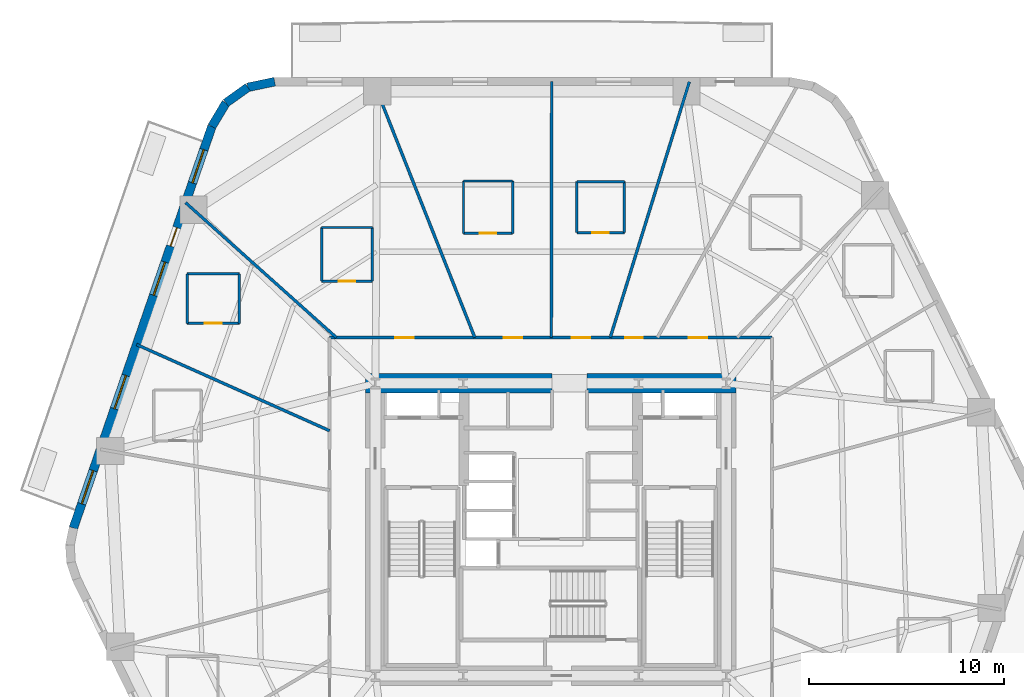
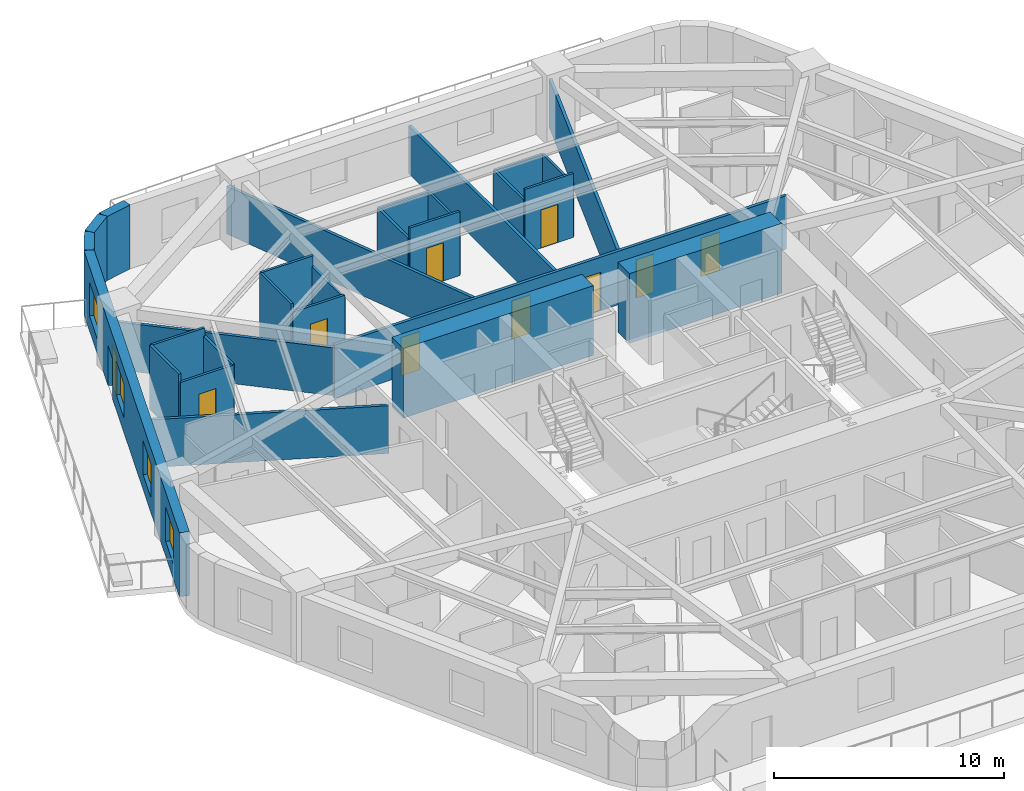
# One storey, part 6 of 11: 28 walls, 10 doors, 4 windows, 14 openings.
"""IFC4 building model written with IfcOpenShell, lengths in metres."""

from ifc_helpers import new_model, si_unit, direction, frame, frame_2d, origin, place, context, subcontext, project, spatial, rectangle, extrude, material, layer, layer_set, type_object, element, fill, save


model = new_model("IFC4")

# Units and contexts
model_context = context("Model", 3, precision=1e-05, world=origin(), true_north=direction((0.0, 1.0)))
body_context = subcontext(model_context, "Body", "Model", "MODEL_VIEW")
ifc_project = project(units=[si_unit("LENGTHUNIT", "METRE"), si_unit("AREAUNIT", "SQUARE_METRE"), si_unit("VOLUMEUNIT", "CUBIC_METRE"), si_unit("PLANEANGLEUNIT", "RADIAN"), si_unit("MASSUNIT", "GRAM", prefix="KILO")], contexts=[model_context])

# Site, building, storey
site_placement = place(None, origin())
site = spatial("IfcSite", under=ifc_project, at=site_placement, CompositionType="ELEMENT")
building_placement = place(site_placement, origin())
building = spatial("IfcBuilding", under=site, at=building_placement, Name="Kilnhurst Terrace Hotel", CompositionType="ELEMENT")
storey_placement = place(building_placement, frame((0.0, 0.0, 41.60009765625)))
storey = spatial("IfcBuildingStorey", under=building, at=storey_placement, Name="L08", CompositionType="ELEMENT", Elevation=41.60009765625)

# Walls
ifc_material_1 = material(Name="Precast concrete C40/50", Category="concrete")
ifc_layer_1 = layer(ifc_material_1, 0.449951171875, Name="Precast concrete C40/50")
ifc_layer_set_1 = layer_set([ifc_layer_1], Name="Precast concrete C40/50")
wall_type_1 = type_object("IfcWallType", Name="WL-BRK-450", PredefinedType="SOLIDWALL", material=ifc_layer_set_1)
wall_1_placement = place(storey_placement, frame((-14.168212890625, 22.97509765625, 0.0), z_axis=(0.0, 0.0, 1.0), x_axis=(-0.978770371074, -0.204959900243, 0.0)))
element("IfcWall", 1, at=wall_1_placement, inside=storey, type_object=wall_type_1, Name="L08 Rounded Corner Brick Wall C5.1", PredefinedType="SOLIDWALL", context=body_context, shape_type="SweptSolid", body=[
    extrude(rectangle(XDim=1.405517578125, YDim=0.449951171875, at=frame_2d((0.70263671875, 0.0))), origin(), (0.0, 0.0, 1.0), 3.39990234375),
])
wall_2_placement = place(storey_placement, frame((-15.5439453125, 22.68701171875, 0.0), z_axis=(0.0, 0.0, 1.0), x_axis=(-0.814210854316, -0.580569276412, 0.0)))
element("IfcWall", 2, at=wall_2_placement, inside=storey, type_object=wall_type_1, Name="L08 Rounded Corner Brick Wall C5.2", PredefinedType="SOLIDWALL", context=body_context, shape_type="SweptSolid", body=[
    extrude(rectangle(XDim=1.38134765625, YDim=0.449951171875, at=frame_2d((0.690673828125, 0.0))), origin(), (0.0, 0.0, 1.0), 3.39990234375),
])
wall_3_placement = place(storey_placement, frame((-16.668701171875, 21.885009765625, 0.0), z_axis=(0.0, 0.0, 1.0), x_axis=(-0.512936712947, -0.858426425799, 0.0)))
element("IfcWall", 3, at=wall_3_placement, inside=storey, type_object=wall_type_1, Name="L08 Rounded Corner Brick Wall C5.3", PredefinedType="SOLIDWALL", context=body_context, shape_type="SweptSolid", body=[
    extrude(rectangle(XDim=1.405517578125, YDim=0.449951171875, at=frame_2d((0.70263671875, 0.0))), origin(), (0.0, 0.0, 1.0), 3.39990234375),
])

# Wall, openings, door, windows
wall_4_placement = place(storey_placement, frame((-17.3896484375, 20.678466796875, 0.0), z_axis=(0.0, 0.0, 1.0), x_axis=(-0.326068018294, -0.945346310854, 0.0)))
wall_4 = element("IfcWall", 4, at=wall_4_placement, inside=storey, type_object=wall_type_1, Name="L08 Exterior Brick Facade Wall F5", PredefinedType="SOLIDWALL", context=body_context, shape_type="SweptSolid", body=[
    extrude(rectangle(XDim=21.79296875, YDim=0.449951171875, at=frame_2d((10.896484375, 0.0))), origin(), (0.0, 0.0, 1.0), 3.39990234375),
])
opening_1_placement = place(wall_4_placement, frame((5.492919921875, 0.0, 0.0)))
opening_1 = element("IfcOpeningElement", 5, at=opening_1_placement, cuts=wall_4, Name="Opening BD-1000", PredefinedType="OPENING", context=body_context, shape_type="SweptSolid", body=[
    extrude(rectangle(XDim=1.0, YDim=2.14990234375, at=frame_2d((0.5, 1.074951171875))), frame((0.0, 0.23486328125, 0.0), z_axis=(0.0, -1.0, 0.0), x_axis=(1.0, 0.0, 0.0)), (0.0, 0.0, 1.0), 0.469970703125),
])
opening_2_placement = place(wall_4_placement, frame((1.260009765625, 0.0, 0.800048828125)))
opening_2 = element("IfcOpeningElement", 6, at=opening_2_placement, cuts=wall_4, Name="Opening W-01", PredefinedType="OPENING", context=body_context, shape_type="SweptSolid", body=[
    extrude(rectangle(XDim=1.800048828125, YDim=1.800048828125, at=frame_2d((0.89990234375, 0.89990234375))), frame((0.0, 0.23486328125, 0.0), z_axis=(0.0, -1.0, 0.0), x_axis=(1.0, 0.0, 0.0)), (0.0, 0.0, 1.0), 0.469970703125),
])
opening_3_placement = place(wall_4_placement, frame((7.363037109375, 0.0, 0.800048828125)))
opening_3 = element("IfcOpeningElement", 7, at=opening_3_placement, cuts=wall_4, Name="Opening W-01", PredefinedType="OPENING", context=body_context, shape_type="SweptSolid", body=[
    extrude(rectangle(XDim=1.800048828125, YDim=1.800048828125, at=frame_2d((0.89990234375, 0.89990234375))), frame((0.0, 0.23486328125, 0.0), z_axis=(0.0, -1.0, 0.0), x_axis=(1.0, 0.0, 0.0)), (0.0, 0.0, 1.0), 0.469970703125),
])
opening_4_placement = place(wall_4_placement, frame((13.51806640625, 0.0, 0.800048828125)))
opening_4 = element("IfcOpeningElement", 8, at=opening_4_placement, cuts=wall_4, Name="Opening W-01", PredefinedType="OPENING", context=body_context, shape_type="SweptSolid", body=[
    extrude(rectangle(XDim=1.800048828125, YDim=1.800048828125, at=frame_2d((0.89990234375, 0.89990234375))), frame((0.0, 0.23486328125, 0.0), z_axis=(0.0, -1.0, 0.0), x_axis=(1.0, 0.0, 0.0)), (0.0, 0.0, 1.0), 0.469970703125),
])
opening_5_placement = place(wall_4_placement, frame((18.679931640625, 0.0, 0.800048828125)))
opening_5 = element("IfcOpeningElement", 9, at=opening_5_placement, cuts=wall_4, Name="Opening W-01", PredefinedType="OPENING", context=body_context, shape_type="SweptSolid", body=[
    extrude(rectangle(XDim=1.800048828125, YDim=1.800048828125, at=frame_2d((0.89990234375, 0.89990234375))), frame((0.0, 0.23486328125, 0.0), z_axis=(0.0, -1.0, 0.0), x_axis=(1.0, 0.0, 0.0)), (0.0, 0.0, 1.0), 0.469970703125),
])
ifc_material_2 = material(Name="Thermally Broken Bronze Aluminium Alloy 6063-T6 and Laminated Glass", Category="aluminium")
door_type_1 = type_object("IfcDoorType", Name="DR-EXT-BAL-1000", OperationType="NOTDEFINED", PredefinedType="DOOR", material=ifc_material_2)
door_1_placement = place(opening_1_placement, origin())
door_1 = element("IfcDoor", 10, at=door_1_placement, inside=storey, type_object=door_type_1, Name="L08 Planted Balcony Door BAL-L2B", OperationType="SINGLE_SWING_LEFT", OverallHeight=2.14990234375, OverallWidth=1.0, PredefinedType="DOOR", context=body_context, shape_type="SweptSolid", body=[
    extrude(rectangle(XDim=1.0, YDim=2.14990234375, at=frame_2d((0.5, 1.074951171875))), frame((0.0, 0.02490234375, 0.0), z_axis=(0.0, -1.0, 0.0), x_axis=(1.0, 0.0, 0.0)), (0.0, 0.0, 1.0), 0.050048828125),
])
fill(opening_1, door_1)
ifc_material_3 = material(Name="Thermally Broken Bronze Aluminium Alloy 6063-T6 and Low-E Glass", Category="aluminium")
window_type = type_object("IfcWindowType", Name="WIN-1800X1800", PartitioningType="SINGLE_PANEL", PredefinedType="WINDOW", material=ifc_material_3)
window_1_placement = place(opening_2_placement, origin())
window_1 = element("IfcWindow", 11, at=window_1_placement, inside=storey, type_object=window_type, Name="L08 Deep-Set Masonry Window F5.1", OverallHeight=1.800048828125, OverallWidth=1.800048828125, PartitioningType="SINGLE_PANEL", PredefinedType="WINDOW", context=body_context, shape_type="SweptSolid", body=[
    extrude(rectangle(XDim=1.800048828125, YDim=1.800048828125, at=frame_2d((0.89990234375, 0.89990234375))), frame((0.0, 0.030029296875, 0.0), z_axis=(0.0, -1.0, 0.0), x_axis=(1.0, 0.0, 0.0)), (0.0, 0.0, 1.0), 0.06005859375),
])
fill(opening_2, window_1)
window_2_placement = place(opening_3_placement, origin())
window_2 = element("IfcWindow", 12, at=window_2_placement, inside=storey, type_object=window_type, Name="L08 Deep-Set Masonry Window F5.2", OverallHeight=1.800048828125, OverallWidth=1.800048828125, PartitioningType="SINGLE_PANEL", PredefinedType="WINDOW", context=body_context, shape_type="SweptSolid", body=[
    extrude(rectangle(XDim=1.800048828125, YDim=1.800048828125, at=frame_2d((0.89990234375, 0.89990234375))), frame((0.0, 0.030029296875, 0.0), z_axis=(0.0, -1.0, 0.0), x_axis=(1.0, 0.0, 0.0)), (0.0, 0.0, 1.0), 0.06005859375),
])
fill(opening_3, window_2)
window_3_placement = place(opening_4_placement, origin())
window_3 = element("IfcWindow", 13, at=window_3_placement, inside=storey, type_object=window_type, Name="L08 Deep-Set Masonry Window F5.3", OverallHeight=1.800048828125, OverallWidth=1.800048828125, PartitioningType="SINGLE_PANEL", PredefinedType="WINDOW", context=body_context, shape_type="SweptSolid", body=[
    extrude(rectangle(XDim=1.800048828125, YDim=1.800048828125, at=frame_2d((0.89990234375, 0.89990234375))), frame((0.0, 0.030029296875, 0.0), z_axis=(0.0, -1.0, 0.0), x_axis=(1.0, 0.0, 0.0)), (0.0, 0.0, 1.0), 0.06005859375),
])
fill(opening_4, window_3)
window_4_placement = place(opening_5_placement, origin())
window_4 = element("IfcWindow", 14, at=window_4_placement, inside=storey, type_object=window_type, Name="L08 Deep-Set Masonry Window F5.4", OverallHeight=1.800048828125, OverallWidth=1.800048828125, PartitioningType="SINGLE_PANEL", PredefinedType="WINDOW", context=body_context, shape_type="SweptSolid", body=[
    extrude(rectangle(XDim=1.800048828125, YDim=1.800048828125, at=frame_2d((0.89990234375, 0.89990234375))), frame((0.0, 0.030029296875, 0.0), z_axis=(0.0, -1.0, 0.0), x_axis=(1.0, 0.0, 0.0)), (0.0, 0.0, 1.0), 0.06005859375),
])
fill(opening_5, window_4)

# Wall, openings, doors
ifc_material_4 = material(Name="Acoustic Double-Gypsum Corridor Partition Assembly")
ifc_layer_2 = layer(ifc_material_4, 0.14990234375, Name="Acoustic Double-Gypsum Corridor Partition Assembly")
ifc_layer_set_2 = layer_set([ifc_layer_2], Name="Acoustic Double-Gypsum Corridor Partition Assembly")
wall_type_2 = type_object("IfcWallType", Name="WL-COR-150", PredefinedType="PARTITIONING", material=ifc_layer_set_2)
wall_5_placement = place(storey_placement, frame((-11.35009765625, 9.85009765625, 0.0), z_axis=(0.0, 0.0, 1.0), x_axis=(1.0, 0.0, 0.0)))
wall_5 = element("IfcWall", 15, at=wall_5_placement, inside=storey, type_object=wall_type_2, Name="L08 Interior Wall WL-L08-COR-02", PredefinedType="PARTITIONING", context=body_context, shape_type="SweptSolid", body=[
    extrude(rectangle(XDim=22.7001953125, YDim=0.14990234375, at=frame_2d((11.35009765625, 0.0))), origin(), (0.0, 0.0, 1.0), 2.83984375),
])
opening_6_placement = place(wall_5_placement, frame((18.43603515625, 0.0, 0.0)))
opening_6 = element("IfcOpeningElement", 16, at=opening_6_placement, cuts=wall_5, Name="Opening D-60B", PredefinedType="OPENING", context=body_context, shape_type="SweptSolid", body=[
    extrude(rectangle(XDim=0.949951171875, YDim=2.030029296875, at=frame_2d((0.47509765625, 1.01513671875))), frame((0.0, 0.0849609375, 0.0), z_axis=(0.0, -1.0, 0.0), x_axis=(1.0, 0.0, 0.0)), (0.0, 0.0, 1.0), 0.169921875),
])
opening_7_placement = place(wall_5_placement, frame((15.176025390625, 0.0, 0.0)))
opening_7 = element("IfcOpeningElement", 17, at=opening_7_placement, cuts=wall_5, Name="Opening D-60C", PredefinedType="OPENING", context=body_context, shape_type="SweptSolid", body=[
    extrude(rectangle(XDim=0.89990234375, YDim=2.030029296875, at=frame_2d((0.449951171875, 1.01513671875))), frame((0.0, 0.0849609375, 0.0), z_axis=(0.0, -1.0, 0.0), x_axis=(1.0, 0.0, 0.0)), (0.0, 0.0, 1.0), 0.169921875),
])
opening_8_placement = place(wall_5_placement, frame((12.4150390625, 0.0, 0.0)))
opening_8 = element("IfcOpeningElement", 18, at=opening_8_placement, cuts=wall_5, Name="Opening D-60B", PredefinedType="OPENING", context=body_context, shape_type="SweptSolid", body=[
    extrude(rectangle(XDim=0.949951171875, YDim=2.030029296875, at=frame_2d((0.47509765625, 1.01513671875))), frame((0.0, 0.0849609375, 0.0), z_axis=(0.0, -1.0, 0.0), x_axis=(1.0, 0.0, 0.0)), (0.0, 0.0, 1.0), 0.169921875),
])
opening_9_placement = place(wall_5_placement, frame((8.925048828125, 0.0, 0.0)))
opening_9 = element("IfcOpeningElement", 19, at=opening_9_placement, cuts=wall_5, Name="Opening D-60B", PredefinedType="OPENING", context=body_context, shape_type="SweptSolid", body=[
    extrude(rectangle(XDim=0.949951171875, YDim=2.030029296875, at=frame_2d((0.47509765625, 1.01513671875))), frame((0.0, 0.0849609375, 0.0), z_axis=(0.0, -1.0, 0.0), x_axis=(1.0, 0.0, 0.0)), (0.0, 0.0, 1.0), 0.169921875),
])
opening_10_placement = place(wall_5_placement, frame((3.368896484375, 0.0, 0.0)))
opening_10 = element("IfcOpeningElement", 20, at=opening_10_placement, cuts=wall_5, Name="Opening D-60B", PredefinedType="OPENING", context=body_context, shape_type="SweptSolid", body=[
    extrude(rectangle(XDim=0.949951171875, YDim=2.030029296875, at=frame_2d((0.47509765625, 1.01513671875))), frame((0.0, 0.0849609375, 0.0), z_axis=(0.0, -1.0, 0.0), x_axis=(1.0, 0.0, 0.0)), (0.0, 0.0, 1.0), 0.169921875),
])
ifc_material_5 = material(Name="Painted Solid-Core Service Fire Door")
door_type_2 = type_object("IfcDoorType", Name="DR-FD60-900", OperationType="NOTDEFINED", PredefinedType="DOOR", material=ifc_material_5)
door_2_placement = place(opening_7_placement, origin())
door_2 = element("IfcDoor", 21, at=door_2_placement, inside=storey, type_object=door_type_2, Name="L08 Executive Work Office Door 4", OperationType="SINGLE_SWING_RIGHT", OverallHeight=2.030029296875, OverallWidth=0.89990234375, PredefinedType="DOOR", context=body_context, shape_type="SweptSolid", body=[
    extrude(rectangle(XDim=0.89990234375, YDim=2.030029296875, at=frame_2d((0.449951171875, 1.01513671875))), frame((0.0, 0.02490234375, 0.0), z_axis=(0.0, -1.0, 0.0), x_axis=(1.0, 0.0, 0.0)), (0.0, 0.0, 1.0), 0.050048828125),
])
fill(opening_7, door_2)
ifc_material_6 = material(Name="Acoustic Walnut Veneer Solid-Core Fire Door")
door_type_3 = type_object("IfcDoorType", Name="DR-FD60-950", OperationType="NOTDEFINED", PredefinedType="DOOR", material=ifc_material_6)
door_3_placement = place(opening_6_placement, origin())
door_3 = element("IfcDoor", 22, at=door_3_placement, inside=storey, type_object=door_type_3, Name="L08 Guest Room Entry Door 3", OperationType="SINGLE_SWING_LEFT", OverallHeight=2.030029296875, OverallWidth=0.949951171875, PredefinedType="DOOR", context=body_context, shape_type="SweptSolid", body=[
    extrude(rectangle(XDim=0.949951171875, YDim=2.030029296875, at=frame_2d((0.47509765625, 1.01513671875))), frame((0.0, 0.02490234375, 0.0), z_axis=(0.0, -1.0, 0.0), x_axis=(1.0, 0.0, 0.0)), (0.0, 0.0, 1.0), 0.050048828125),
])
fill(opening_6, door_3)
door_4_placement = place(opening_8_placement, origin())
door_4 = element("IfcDoor", 23, at=door_4_placement, inside=storey, type_object=door_type_3, Name="L08 Guest Room Entry Door 5", OperationType="SINGLE_SWING_LEFT", OverallHeight=2.030029296875, OverallWidth=0.949951171875, PredefinedType="DOOR", context=body_context, shape_type="SweptSolid", body=[
    extrude(rectangle(XDim=0.949951171875, YDim=2.030029296875, at=frame_2d((0.47509765625, 1.01513671875))), frame((0.0, 0.02490234375, 0.0), z_axis=(0.0, -1.0, 0.0), x_axis=(1.0, 0.0, 0.0)), (0.0, 0.0, 1.0), 0.050048828125),
])
fill(opening_8, door_4)
door_5_placement = place(opening_9_placement, origin())
door_5 = element("IfcDoor", 24, at=door_5_placement, inside=storey, type_object=door_type_3, Name="L08 Executive Suite Entry Door 6", OperationType="SINGLE_SWING_RIGHT", OverallHeight=2.030029296875, OverallWidth=0.949951171875, PredefinedType="DOOR", context=body_context, shape_type="SweptSolid", body=[
    extrude(rectangle(XDim=0.949951171875, YDim=2.030029296875, at=frame_2d((0.47509765625, 1.01513671875))), frame((0.0, 0.02490234375, 0.0), z_axis=(0.0, -1.0, 0.0), x_axis=(1.0, 0.0, 0.0)), (0.0, 0.0, 1.0), 0.050048828125),
])
fill(opening_9, door_5)
door_6_placement = place(opening_10_placement, origin())
door_6 = element("IfcDoor", 25, at=door_6_placement, inside=storey, type_object=door_type_3, Name="L08 Executive Suite Entry Door 7", OperationType="SINGLE_SWING_LEFT", OverallHeight=2.030029296875, OverallWidth=0.949951171875, PredefinedType="DOOR", context=body_context, shape_type="SweptSolid", body=[
    extrude(rectangle(XDim=0.949951171875, YDim=2.030029296875, at=frame_2d((0.47509765625, 1.01513671875))), frame((0.0, 0.02490234375, 0.0), z_axis=(0.0, -1.0, 0.0), x_axis=(1.0, 0.0, 0.0)), (0.0, 0.0, 1.0), 0.050048828125),
])
fill(opening_10, door_6)

# Walls
ifc_material_7 = material(Name="Concrete C80/95", Category="concrete")
ifc_layer_3 = layer(ifc_material_7, 1.0, Name="Concrete C80/95")
ifc_layer_set_3 = layer_set([ifc_layer_3], Name="Concrete C80/95")
wall_type_3 = type_object("IfcWallType", Name="WL-CORE-1000", PredefinedType="SHEAR", material=ifc_layer_set_3)
wall_6_placement = place(storey_placement, frame((-9.5, 7.5, 0.0), z_axis=(0.0, 0.0, 1.0), x_axis=(1.0, 0.0, 0.0)))
element("IfcWall", 26, at=wall_6_placement, inside=storey, type_object=wall_type_3, Name="L08 Core North West Shear Wall", PredefinedType="SHEAR", context=body_context, shape_type="SweptSolid", body=[
    extrude(rectangle(XDim=9.550048828125, YDim=1.0, at=frame_2d((4.77490234375, 0.0))), origin(), (0.0, 0.0, 1.0), 3.699951171875),
])
wall_7_placement = place(storey_placement, frame((1.85009765625, 7.5, 0.0), z_axis=(0.0, 0.0, 1.0), x_axis=(1.0, 0.0, 0.0)))
element("IfcWall", 27, at=wall_7_placement, inside=storey, type_object=wall_type_3, Name="L08 Core North East Shear Wall", PredefinedType="SHEAR", context=body_context, shape_type="SweptSolid", body=[
    extrude(rectangle(XDim=7.64990234375, YDim=1.0, at=frame_2d((3.824951171875, 0.0))), origin(), (0.0, 0.0, 1.0), 3.699951171875),
])
ifc_material_8 = material(Name="STC-58 Acoustic Twin-Frame Guestroom Demising Partition")
ifc_layer_4 = layer(ifc_material_8, 0.14990234375, Name="STC-58 Acoustic Twin-Frame Guestroom Demising Partition")
ifc_layer_set_4 = layer_set([ifc_layer_4], Name="STC-58 Acoustic Twin-Frame Guestroom Demising Partition")
wall_type_4 = type_object("IfcWallType", Name="WL-DEM-150", PredefinedType="PARTITIONING", material=ifc_layer_set_4)
wall_8_placement = place(storey_placement, frame((3.047607421875, 9.85009765625, 0.0), z_axis=(0.0, 0.0, 1.0), x_axis=(0.295553992761, 0.955326037206, 0.0)))
element("IfcWall", 28, at=wall_8_placement, inside=storey, type_object=wall_type_4, Name="L08 Interior Wall WL-L08-DEM-COL03-05-1", PredefinedType="PARTITIONING", context=body_context, shape_type="SweptSolid", body=[
    extrude(rectangle(XDim=13.73876953125, YDim=0.14990234375, at=frame_2d((6.869384765625, 0.0))), origin(), (0.0, 0.0, 1.0), 2.539794921875),
])
wall_9_placement = place(storey_placement, frame((0.0205078125, 9.85009765625, 0.0), z_axis=(0.0, 0.0, 1.0), x_axis=(0.002064727742, 0.999997868447, 0.0)))
element("IfcWall", 29, at=wall_9_placement, inside=storey, type_object=wall_type_4, Name="L08 Interior Wall WL-L08-DEM-MID03-06-1", PredefinedType="PARTITIONING", context=body_context, shape_type="SweptSolid", body=[
    extrude(rectangle(XDim=13.125, YDim=0.14990234375, at=frame_2d((6.5625, 0.0))), origin(), (0.0, 0.0, 1.0), 2.539794921875),
])
wall_10_placement = place(storey_placement, frame((-3.90185546875, 9.85009765625, 0.0), z_axis=(0.0, 0.0, 1.0), x_axis=(-0.36828765711, 0.929711891728, 0.0)))
element("IfcWall", 30, at=wall_10_placement, inside=storey, type_object=wall_type_4, Name="L08 Interior Wall WL-L08-DEM-COL04-07-1", PredefinedType="PARTITIONING", context=body_context, shape_type="SweptSolid", body=[
    extrude(rectangle(XDim=14.1171875, YDim=0.14990234375, at=frame_2d((7.05859375, 0.0))), origin(), (0.0, 0.0, 1.0), 2.539794921875),
])
wall_11_placement = place(storey_placement, frame((-11.006591796875, 9.85009765625, 0.0), z_axis=(0.0, 0.0, 1.0), x_axis=(-0.745177305978, 0.666866390407, 0.0)))
element("IfcWall", 31, at=wall_11_placement, inside=storey, type_object=wall_type_4, Name="L08 Interior Wall WL-L08-DEM-COL05-08-1", PredefinedType="PARTITIONING", context=body_context, shape_type="SweptSolid", body=[
    extrude(rectangle(XDim=10.375244140625, YDim=0.14990234375, at=frame_2d((5.1875, 0.0))), origin(), (0.0, 0.0, 1.0), 2.539794921875),
])
wall_12_placement = place(storey_placement, frame((-11.35009765625, 5.068115234375, 0.0), z_axis=(0.0, 0.0, 1.0), x_axis=(-0.913107192911, 0.407719577963, 0.0)))
element("IfcWall", 32, at=wall_12_placement, inside=storey, type_object=wall_type_4, Name="L08 Interior Wall WL-L08-DEM-MID05-09-1", PredefinedType="PARTITIONING", context=body_context, shape_type="SweptSolid", body=[
    extrude(rectangle(XDim=10.84130859375, YDim=0.14990234375, at=frame_2d((5.420654296875, 0.0))), origin(), (0.0, 0.0, 1.0), 2.539794921875),
])

# Wall, opening, door
ifc_material_9 = material(Name="120 mm Moisture-Resistant Tile-Backed Bathroom Partition")
ifc_layer_5 = layer(ifc_material_9, 0.1201171875, Name="120 mm Moisture-Resistant Tile-Backed Bathroom Partition")
ifc_layer_set_5 = layer_set([ifc_layer_5], Name="120 mm Moisture-Resistant Tile-Backed Bathroom Partition")
wall_type_5 = type_object("IfcWallType", Name="WL-PART-120", PredefinedType="PARTITIONING", material=ifc_layer_set_5)
wall_13_placement = place(storey_placement, frame((1.3310546875, 15.23193359375, 0.0), z_axis=(0.0, 0.0, 1.0), x_axis=(1.0, 0.0, 0.0)))
wall_13 = element("IfcWall", 33, at=wall_13_placement, inside=storey, type_object=wall_type_5, Name="L08 Interior Wall WL-L08-BTH-05-1", PredefinedType="PARTITIONING", context=body_context, shape_type="SweptSolid", body=[
    extrude(rectangle(XDim=2.43994140625, YDim=0.1201171875, at=frame_2d((1.219970703125, 0.0))), origin(), (0.0, 0.0, 1.0), 3.39990234375),
])
opening_11_placement = place(wall_13_placement, frame((0.794921875, 0.0, 0.0)))
opening_11 = element("IfcOpeningElement", 34, at=opening_11_placement, cuts=wall_13, Name="Opening D-08A", PredefinedType="OPENING", context=body_context, shape_type="SweptSolid", body=[
    extrude(rectangle(XDim=0.85009765625, YDim=2.030029296875, at=frame_2d((0.425048828125, 1.01513671875))), frame((0.0, 0.070068359375, 0.0), z_axis=(0.0, -1.0, 0.0), x_axis=(1.0, 0.0, 0.0)), (0.0, 0.0, 1.0), 0.14013671875),
])
ifc_material_10 = material(Name="Moisture-Resistant Lacquered En-suite Bathroom Door")
door_type_4 = type_object("IfcDoorType", Name="DR-INT-850", OperationType="NOTDEFINED", PredefinedType="DOOR", material=ifc_material_10)
door_7_placement = place(opening_11_placement, origin())
door_7 = element("IfcDoor", 35, at=door_7_placement, inside=storey, type_object=door_type_4, Name="L08 En-suite Bathroom Door 5", OperationType="SINGLE_SWING_RIGHT", OverallHeight=2.030029296875, OverallWidth=0.85009765625, PredefinedType="DOOR", context=body_context, shape_type="SweptSolid", body=[
    extrude(rectangle(XDim=0.85009765625, YDim=2.030029296875, at=frame_2d((0.425048828125, 1.01513671875))), frame((0.0, 0.02490234375, 0.0), z_axis=(0.0, -1.0, 0.0), x_axis=(1.0, 0.0, 0.0)), (0.0, 0.0, 1.0), 0.050048828125),
])
fill(opening_11, door_7)

# Walls
wall_14_placement = place(storey_placement, frame((3.77099609375, 15.23193359375, 0.0), z_axis=(0.0, 0.0, 1.0), x_axis=(0.0, 1.0, 0.0)))
element("IfcWall", 36, at=wall_14_placement, inside=storey, type_object=wall_type_5, Name="L08 Interior Wall WL-L08-BTH-05-2", PredefinedType="PARTITIONING", context=body_context, shape_type="SweptSolid", body=[
    extrude(rectangle(XDim=2.610107421875, YDim=0.1201171875, at=frame_2d((1.30517578125, 0.0))), origin(), (0.0, 0.0, 1.0), 2.84033203125),
])
wall_15_placement = place(storey_placement, frame((3.77099609375, 17.842041015625, 0.0), z_axis=(0.0, 0.0, 1.0), x_axis=(-1.0, 0.0, 0.0)))
element("IfcWall", 37, at=wall_15_placement, inside=storey, type_object=wall_type_5, Name="L08 Interior Wall WL-L08-BTH-05-3", PredefinedType="PARTITIONING", context=body_context, shape_type="SweptSolid", body=[
    extrude(rectangle(XDim=2.43994140625, YDim=0.1201171875, at=frame_2d((1.219970703125, 0.0))), origin(), (0.0, 0.0, 1.0), 2.84033203125),
])
wall_16_placement = place(storey_placement, frame((1.3310546875, 17.842041015625, 0.0), z_axis=(0.0, 0.0, 1.0), x_axis=(0.0, -1.0, 0.0)))
element("IfcWall", 38, at=wall_16_placement, inside=storey, type_object=wall_type_5, Name="L08 Interior Wall WL-L08-BTH-05-4", PredefinedType="PARTITIONING", context=body_context, shape_type="SweptSolid", body=[
    extrude(rectangle(XDim=2.610107421875, YDim=0.1201171875, at=frame_2d((1.30517578125, 0.0))), origin(), (0.0, 0.0, 1.0), 2.84033203125),
])

# Wall, opening, door
wall_17_placement = place(storey_placement, frame((-4.47900390625, 15.197021484375, 0.0), z_axis=(0.0, 0.0, 1.0), x_axis=(1.0, 0.0, 0.0)))
wall_17 = element("IfcWall", 39, at=wall_17_placement, inside=storey, type_object=wall_type_5, Name="L08 Interior Wall WL-L08-BTH-06-1", PredefinedType="PARTITIONING", context=body_context, shape_type="SweptSolid", body=[
    extrude(rectangle(XDim=2.52001953125, YDim=0.1201171875, at=frame_2d((1.260009765625, 0.0))), origin(), (0.0, 0.0, 1.0), 3.39990234375),
])
opening_12_placement = place(wall_17_placement, frame((0.8349609375, 0.0, 0.0)))
opening_12 = element("IfcOpeningElement", 40, at=opening_12_placement, cuts=wall_17, Name="Opening D-08A", PredefinedType="OPENING", context=body_context, shape_type="SweptSolid", body=[
    extrude(rectangle(XDim=0.85009765625, YDim=2.030029296875, at=frame_2d((0.425048828125, 1.01513671875))), frame((0.0, 0.070068359375, 0.0), z_axis=(0.0, -1.0, 0.0), x_axis=(1.0, 0.0, 0.0)), (0.0, 0.0, 1.0), 0.14013671875),
])
door_8_placement = place(opening_12_placement, origin())
door_8 = element("IfcDoor", 41, at=door_8_placement, inside=storey, type_object=door_type_4, Name="L08 En-suite Bathroom Door 6", OperationType="SINGLE_SWING_LEFT", OverallHeight=2.030029296875, OverallWidth=0.85009765625, PredefinedType="DOOR", context=body_context, shape_type="SweptSolid", body=[
    extrude(rectangle(XDim=0.85009765625, YDim=2.030029296875, at=frame_2d((0.425048828125, 1.01513671875))), frame((0.0, 0.02490234375, 0.0), z_axis=(0.0, -1.0, 0.0), x_axis=(1.0, 0.0, 0.0)), (0.0, 0.0, 1.0), 0.050048828125),
])
fill(opening_12, door_8)

# Walls
wall_18_placement = place(storey_placement, frame((-1.958984375, 15.197021484375, 0.0), z_axis=(0.0, 0.0, 1.0), x_axis=(0.0, 1.0, 0.0)))
element("IfcWall", 42, at=wall_18_placement, inside=storey, type_object=wall_type_5, Name="L08 Interior Wall WL-L08-BTH-06-2", PredefinedType="PARTITIONING", context=body_context, shape_type="SweptSolid", body=[
    extrude(rectangle(XDim=2.679931640625, YDim=0.1201171875, at=frame_2d((1.33984375, 0.0))), origin(), (0.0, 0.0, 1.0), 2.84033203125),
])
wall_19_placement = place(storey_placement, frame((-1.958984375, 17.876953125, 0.0), z_axis=(0.0, 0.0, 1.0), x_axis=(-1.0, 0.0, 0.0)))
element("IfcWall", 43, at=wall_19_placement, inside=storey, type_object=wall_type_5, Name="L08 Interior Wall WL-L08-BTH-06-3", PredefinedType="PARTITIONING", context=body_context, shape_type="SweptSolid", body=[
    extrude(rectangle(XDim=2.52001953125, YDim=0.1201171875, at=frame_2d((1.260009765625, 0.0))), origin(), (0.0, 0.0, 1.0), 2.84033203125),
])
wall_20_placement = place(storey_placement, frame((-4.47900390625, 17.876953125, 0.0), z_axis=(0.0, 0.0, 1.0), x_axis=(0.0, -1.0, 0.0)))
element("IfcWall", 44, at=wall_20_placement, inside=storey, type_object=wall_type_5, Name="L08 Interior Wall WL-L08-BTH-06-4", PredefinedType="PARTITIONING", context=body_context, shape_type="SweptSolid", body=[
    extrude(rectangle(XDim=2.679931640625, YDim=0.1201171875, at=frame_2d((1.33984375, 0.0))), origin(), (0.0, 0.0, 1.0), 2.84033203125),
])

# Wall, opening, door
wall_21_placement = place(storey_placement, frame((-11.761962890625, 12.742919921875, 0.0), z_axis=(0.0, 0.0, 1.0), x_axis=(1.0, 0.0, 0.0)))
wall_21 = element("IfcWall", 45, at=wall_21_placement, inside=storey, type_object=wall_type_5, Name="L08 Interior Wall WL-L08-BTH-07-1", PredefinedType="PARTITIONING", context=body_context, shape_type="SweptSolid", body=[
    extrude(rectangle(XDim=2.599853515625, YDim=0.1201171875, at=frame_2d((1.2998046875, 0.0))), origin(), (0.0, 0.0, 1.0), 2.972412109375),
])
opening_13_placement = place(wall_21_placement, frame((0.875, 0.0, 0.0)))
opening_13 = element("IfcOpeningElement", 46, at=opening_13_placement, cuts=wall_21, Name="Opening D-08A", PredefinedType="OPENING", context=body_context, shape_type="SweptSolid", body=[
    extrude(rectangle(XDim=0.85009765625, YDim=2.030029296875, at=frame_2d((0.425048828125, 1.01513671875))), frame((0.0, 0.070068359375, 0.0), z_axis=(0.0, -1.0, 0.0), x_axis=(1.0, 0.0, 0.0)), (0.0, 0.0, 1.0), 0.14013671875),
])
door_9_placement = place(opening_13_placement, origin())
door_9 = element("IfcDoor", 47, at=door_9_placement, inside=storey, type_object=door_type_4, Name="L08 En-suite Bathroom Door 7", OperationType="SINGLE_SWING_RIGHT", OverallHeight=2.030029296875, OverallWidth=0.85009765625, PredefinedType="DOOR", context=body_context, shape_type="SweptSolid", body=[
    extrude(rectangle(XDim=0.85009765625, YDim=2.030029296875, at=frame_2d((0.425048828125, 1.01513671875))), frame((0.0, 0.02490234375, 0.0), z_axis=(0.0, -1.0, 0.0), x_axis=(1.0, 0.0, 0.0)), (0.0, 0.0, 1.0), 0.050048828125),
])
fill(opening_13, door_9)

# Walls
wall_22_placement = place(storey_placement, frame((-9.162109375, 12.742919921875, 0.0), z_axis=(0.0, 0.0, 1.0), x_axis=(0.0, 1.0, 0.0)))
element("IfcWall", 48, at=wall_22_placement, inside=storey, type_object=wall_type_5, Name="L08 Interior Wall WL-L08-BTH-07-2", PredefinedType="PARTITIONING", context=body_context, shape_type="SweptSolid", body=[
    extrude(rectangle(XDim=2.75, YDim=0.1201171875, at=frame_2d((1.375, 0.0))), origin(), (0.0, 0.0, 1.0), 2.83984375),
])
wall_23_placement = place(storey_placement, frame((-9.162109375, 15.492919921875, 0.0), z_axis=(0.0, 0.0, 1.0), x_axis=(-1.0, 0.0, 0.0)))
element("IfcWall", 49, at=wall_23_placement, inside=storey, type_object=wall_type_5, Name="L08 Interior Wall WL-L08-BTH-07-3", PredefinedType="PARTITIONING", context=body_context, shape_type="SweptSolid", body=[
    extrude(rectangle(XDim=2.599853515625, YDim=0.1201171875, at=frame_2d((1.2998046875, 0.0))), origin(), (0.0, 0.0, 1.0), 3.39990234375),
])
wall_24_placement = place(storey_placement, frame((-11.761962890625, 15.492919921875, 0.0), z_axis=(0.0, 0.0, 1.0), x_axis=(0.0, -1.0, 0.0)))
element("IfcWall", 50, at=wall_24_placement, inside=storey, type_object=wall_type_5, Name="L08 Interior Wall WL-L08-BTH-07-4", PredefinedType="PARTITIONING", context=body_context, shape_type="SweptSolid", body=[
    extrude(rectangle(XDim=2.75, YDim=0.1201171875, at=frame_2d((1.375, 0.0))), origin(), (0.0, 0.0, 1.0), 3.39990234375),
])

# Wall, opening, door
wall_25_placement = place(storey_placement, frame((-18.658935546875, 10.573974609375, 0.0), z_axis=(0.0, 0.0, 1.0), x_axis=(1.0, 0.0, 0.0)))
wall_25 = element("IfcWall", 51, at=wall_25_placement, inside=storey, type_object=wall_type_5, Name="L08 Interior Wall WL-L08-BTH-08-1", PredefinedType="PARTITIONING", context=body_context, shape_type="SweptSolid", body=[
    extrude(rectangle(XDim=2.679931640625, YDim=0.1201171875, at=frame_2d((1.33984375, 0.0))), origin(), (0.0, 0.0, 1.0), 2.972412109375),
])
opening_14_placement = place(wall_25_placement, frame((0.9150390625, 0.0, 0.0)))
opening_14 = element("IfcOpeningElement", 52, at=opening_14_placement, cuts=wall_25, Name="Opening D-08A", PredefinedType="OPENING", context=body_context, shape_type="SweptSolid", body=[
    extrude(rectangle(XDim=0.85009765625, YDim=2.030029296875, at=frame_2d((0.425048828125, 1.01513671875))), frame((0.0, 0.070068359375, 0.0), z_axis=(0.0, -1.0, 0.0), x_axis=(1.0, 0.0, 0.0)), (0.0, 0.0, 1.0), 0.14013671875),
])
door_10_placement = place(opening_14_placement, origin())
door_10 = element("IfcDoor", 53, at=door_10_placement, inside=storey, type_object=door_type_4, Name="L08 En-suite Bathroom Door 8", OperationType="SINGLE_SWING_LEFT", OverallHeight=2.030029296875, OverallWidth=0.85009765625, PredefinedType="DOOR", context=body_context, shape_type="SweptSolid", body=[
    extrude(rectangle(XDim=0.85009765625, YDim=2.030029296875, at=frame_2d((0.425048828125, 1.01513671875))), frame((0.0, 0.02490234375, 0.0), z_axis=(0.0, -1.0, 0.0), x_axis=(1.0, 0.0, 0.0)), (0.0, 0.0, 1.0), 0.050048828125),
])
fill(opening_14, door_10)

# Walls
wall_26_placement = place(storey_placement, frame((-15.97900390625, 10.573974609375, 0.0), z_axis=(0.0, 0.0, 1.0), x_axis=(0.0, 1.0, 0.0)))
element("IfcWall", 54, at=wall_26_placement, inside=storey, type_object=wall_type_5, Name="L08 Interior Wall WL-L08-BTH-08-2", PredefinedType="PARTITIONING", context=body_context, shape_type="SweptSolid", body=[
    extrude(rectangle(XDim=2.5400390625, YDim=0.1201171875, at=frame_2d((1.27001953125, 0.0))), origin(), (0.0, 0.0, 1.0), 2.972412109375),
])
wall_27_placement = place(storey_placement, frame((-15.97900390625, 13.114013671875, 0.0), z_axis=(0.0, 0.0, 1.0), x_axis=(-1.0, 0.0, 0.0)))
element("IfcWall", 55, at=wall_27_placement, inside=storey, type_object=wall_type_5, Name="L08 Interior Wall WL-L08-BTH-08-3", PredefinedType="PARTITIONING", context=body_context, shape_type="SweptSolid", body=[
    extrude(rectangle(XDim=2.679931640625, YDim=0.1201171875, at=frame_2d((1.33984375, 0.0))), origin(), (0.0, 0.0, 1.0), 3.39990234375),
])
wall_28_placement = place(storey_placement, frame((-18.658935546875, 13.114013671875, 0.0), z_axis=(0.0, 0.0, 1.0), x_axis=(0.0, -1.0, 0.0)))
element("IfcWall", 56, at=wall_28_placement, inside=storey, type_object=wall_type_5, Name="L08 Interior Wall WL-L08-BTH-08-4", PredefinedType="PARTITIONING", context=body_context, shape_type="SweptSolid", body=[
    extrude(rectangle(XDim=2.5400390625, YDim=0.1201171875, at=frame_2d((1.27001953125, 0.0))), origin(), (0.0, 0.0, 1.0), 3.39990234375),
])

save(model, "model.ifc")
